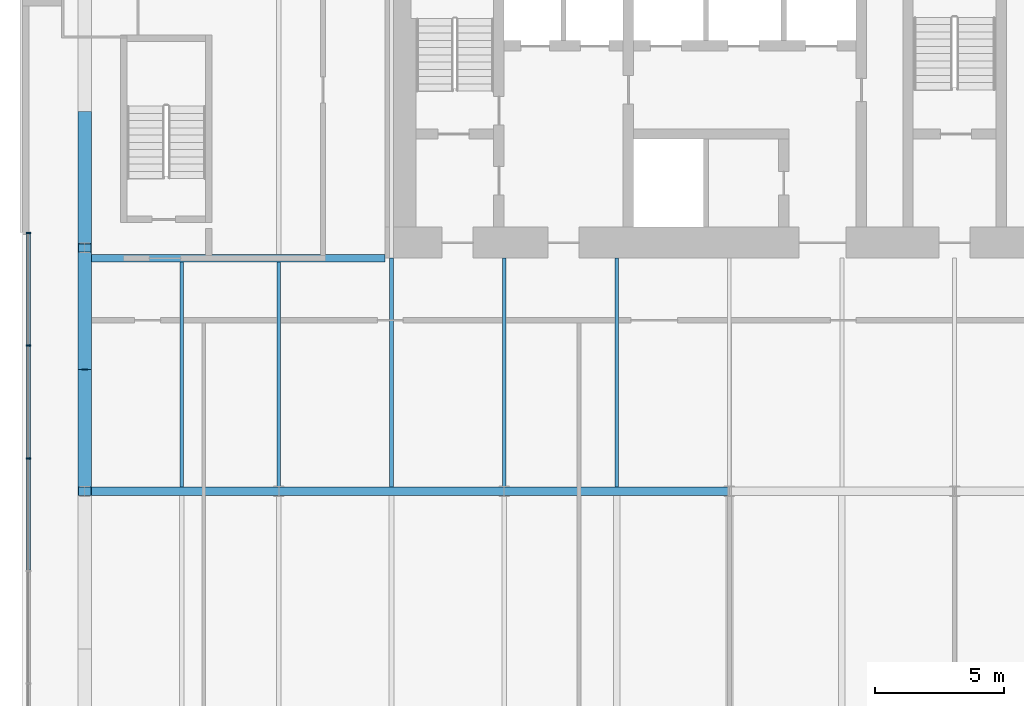
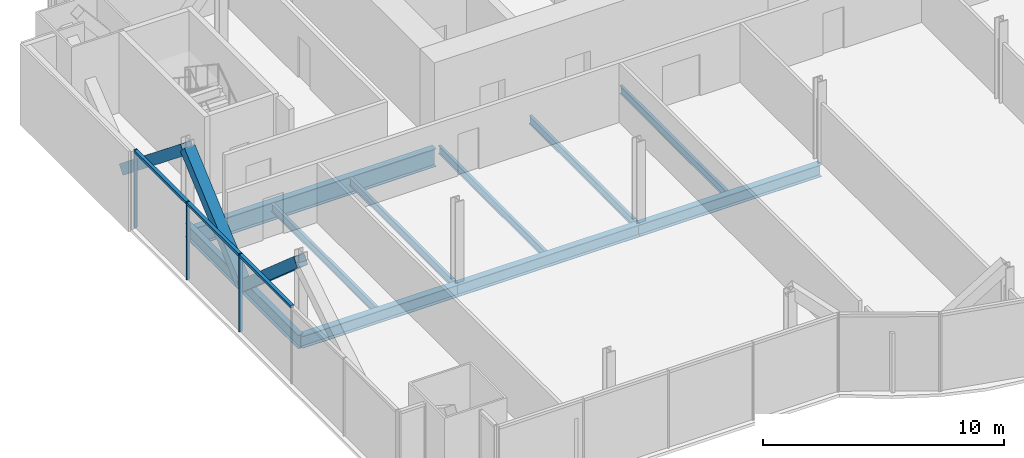
# One storey, part 6 of 21: 10 beams, 9 members, 1 element without a shape of its own.
"""IFC4 building model written with IfcOpenShell, lengths in metres."""

from ifc_helpers import new_model, si_unit, direction, frame, origin, origin_2d, place, context, subcontext, project, spatial, rectangle, hollow_rectangle, i_section, extrude, material, material_profile, profile_set, type_object, element, aggregate, save


model = new_model("IFC4")

# Units and contexts
model_context = context("Model", 3, precision=1e-05, world=origin(), true_north=direction((0.0, 1.0)))
body_context = subcontext(model_context, "Body", "Model", "MODEL_VIEW")
ifc_project = project(units=[si_unit("LENGTHUNIT", "METRE"), si_unit("AREAUNIT", "SQUARE_METRE"), si_unit("VOLUMEUNIT", "CUBIC_METRE"), si_unit("PLANEANGLEUNIT", "RADIAN"), si_unit("MASSUNIT", "GRAM", prefix="KILO")], contexts=[model_context])

# Site, building, storey
site_placement = place(None, origin())
site = spatial("IfcSite", under=ifc_project, at=site_placement, CompositionType="ELEMENT")
building_placement = place(site_placement, origin())
building = spatial("IfcBuilding", under=site, at=building_placement, Name="Bicima Exchange Tower", CompositionType="ELEMENT")
storey_placement = place(building_placement, frame((0.0, 0.0, 122.699951171875)))
storey = spatial("IfcBuildingStorey", under=building, at=storey_placement, Name="L26", CompositionType="ELEMENT", Elevation=122.699951171875)

# Beam
ifc_material_1 = material(Name="Steel ASTM A992 Gr 50", Category="steel")
ifc_material_profile_1 = material_profile(ifc_material_1, i_section(OverallWidth=0.3046875, OverallDepth=0.911865234375, WebThickness=0.015869140625, FlangeThickness=0.02392578125, at=origin_2d()))
ifc_profile_set_1 = profile_set([ifc_material_profile_1], Name="Steel ASTM A992 Gr 50")
beam_type_1 = type_object("IfcBeamType", Name="Core-line girder W36x150", PredefinedType="BEAM", material=ifc_profile_set_1)
beam_1_placement = place(storey_placement, frame((-22.0, -13.0, -0.60595703125), z_axis=(-1.0, 0.0, 0.0), x_axis=(0.0, -1.0, 0.0)))
element("IfcBeam", 1, at=beam_1_placement, inside=storey, type_object=beam_type_1, Name="Core-line girder", PredefinedType="BEAM", context=body_context, shape_type="SweptSolid", body=[
    extrude(i_section(OverallWidth=0.3046875, OverallDepth=0.911865234375, WebThickness=0.015869140625, FlangeThickness=0.02392578125, at=origin_2d()), origin(), (0.0, 0.0, 1.0), 11.60009765625),
])

# Curtain wall, members
ifc_material_2 = material(Name="Anodised bronze aluminium", Category="aluminium")
curtain_wall_type = type_object("IfcCurtainWallType", Name="End face glass wall", PredefinedType="NOTDEFINED", material=ifc_material_2)
curtain_wall_placement = place(storey_placement, origin())
curtain_wall = element("IfcCurtainWall", 2, at=curtain_wall_placement, inside=storey, type_object=curtain_wall_type, Name="End face glass wall L26 run 2", PredefinedType="NOTDEFINED")
ifc_material_profile_2 = material_profile(ifc_material_2, rectangle(XDim=0.159912109375, YDim=0.06005859375, at=origin_2d()))
ifc_profile_set_2 = profile_set([ifc_material_profile_2], Name="Anodised bronze aluminium")
member_type_1 = type_object("IfcMemberType", Name="End face glass wall mullion 60 x 160", PredefinedType="MULLION", material=ifc_profile_set_2)
member_1_placement = place(storey_placement, frame((-35.77001953125, -12.030029296875, 0.0), z_axis=(0.0, 0.0, 1.0), x_axis=(1.0, 0.0, 0.0)))
member_1 = element("IfcMember", 3, at=member_1_placement, type_object=member_type_1, Name="End face glass wall mullion 1", PredefinedType="MULLION", context=body_context, shape_type="SweptSolid", body=[
    extrude(rectangle(XDim=0.159912109375, YDim=0.06005859375, at=origin_2d()), origin(), (0.0, 0.0, 1.0), 3.949951171875),
])
member_2_placement = place(storey_placement, frame((-35.77001953125, -16.3798828125, 0.0), z_axis=(0.0, 0.0, 1.0), x_axis=(1.0, 0.0, 0.0)))
member_2 = element("IfcMember", 4, at=member_2_placement, type_object=member_type_1, Name="End face glass wall mullion 2", PredefinedType="MULLION", context=body_context, shape_type="SweptSolid", body=[
    extrude(rectangle(XDim=0.159912109375, YDim=0.06005859375, at=origin_2d()), origin(), (0.0, 0.0, 1.0), 3.949951171875),
])
member_3_placement = place(storey_placement, frame((-35.77001953125, -20.72998046875, 0.0), z_axis=(0.0, 0.0, 1.0), x_axis=(1.0, 0.0, 0.0)))
member_3 = element("IfcMember", 5, at=member_3_placement, type_object=member_type_1, Name="End face glass wall mullion 3", PredefinedType="MULLION", context=body_context, shape_type="SweptSolid", body=[
    extrude(rectangle(XDim=0.159912109375, YDim=0.06005859375, at=origin_2d()), origin(), (0.0, 0.0, 1.0), 3.949951171875),
])
ifc_material_profile_3 = material_profile(ifc_material_2, rectangle(XDim=0.159912109375, YDim=0.139892578125, at=origin_2d()))
ifc_profile_set_3 = profile_set([ifc_material_profile_3], Name="Anodised bronze aluminium")
member_type_2 = type_object("IfcMemberType", Name="End face glass wall transom 140 x 160", PredefinedType="USERDEFINED", material=ifc_profile_set_3)
member_4_placement = place(storey_placement, frame((-35.77001953125, -12.06005859375, 3.880126953125), z_axis=(0.0, -1.0, 0.0), x_axis=(1.0, 0.0, 0.0)))
member_4 = element("IfcMember", 6, at=member_4_placement, type_object=member_type_2, Name="End face glass wall transom 1.1", ObjectType="TRANSOM", PredefinedType="USERDEFINED", context=body_context, shape_type="SweptSolid", body=[
    extrude(rectangle(XDim=0.159912109375, YDim=0.139892578125, at=origin_2d()), origin(), (0.0, 0.0, 1.0), 4.2900390625),
])
member_5_placement = place(storey_placement, frame((-35.77001953125, -16.409912109375, 3.880126953125), z_axis=(0.0, -1.0, 0.0), x_axis=(1.0, 0.0, 0.0)))
member_5 = element("IfcMember", 7, at=member_5_placement, type_object=member_type_2, Name="End face glass wall transom 2.1", ObjectType="TRANSOM", PredefinedType="USERDEFINED", context=body_context, shape_type="SweptSolid", body=[
    extrude(rectangle(XDim=0.159912109375, YDim=0.139892578125, at=origin_2d()), origin(), (0.0, 0.0, 1.0), 4.2900390625),
])
member_6_placement = place(storey_placement, frame((-35.77001953125, -20.760009765625, 3.880126953125), z_axis=(0.0, -1.0, 0.0), x_axis=(1.0, 0.0, 0.0)))
member_6 = element("IfcMember", 8, at=member_6_placement, type_object=member_type_2, Name="End face glass wall transom 3.1", ObjectType="TRANSOM", PredefinedType="USERDEFINED", context=body_context, shape_type="SweptSolid", body=[
    extrude(rectangle(XDim=0.159912109375, YDim=0.139892578125, at=origin_2d()), origin(), (0.0, 0.0, 1.0), 4.2900390625),
])
aggregate(curtain_wall, [member_1, member_2, member_3, member_4, member_5, member_6])

# Beams
ifc_material_profile_4 = material_profile(ifc_material_1, i_section(OverallWidth=0.256591796875, OverallDepth=0.693359375, WebThickness=0.014404296875, FlangeThickness=0.023681640625, at=origin_2d()))
ifc_profile_set_4 = profile_set([ifc_material_profile_4], Name="Steel ASTM A992 Gr 50")
beam_type_2 = type_object("IfcBeamType", Name="End girder W27x114", PredefinedType="BEAM", material=ifc_profile_set_4)
beam_2_placement = place(storey_placement, frame((-33.60009765625, -12.60009765625, -0.49658203125), z_axis=(0.0, -1.0, 0.0), x_axis=(1.0, 0.0, 0.0)))
element("IfcBeam", 9, at=beam_2_placement, inside=storey, type_object=beam_type_2, Name="End girder", PredefinedType="BEAM", context=body_context, shape_type="SweptSolid", body=[
    extrude(i_section(OverallWidth=0.256591796875, OverallDepth=0.693359375, WebThickness=0.014404296875, FlangeThickness=0.023681640625, at=origin_2d()), origin(), (0.0, 0.0, 1.0), 9.39990234375),
])
ifc_material_profile_5 = material_profile(ifc_material_1, i_section(OverallWidth=0.140380859375, OverallDepth=0.40380859375, WebThickness=0.007080078125, FlangeThickness=0.01123046875, at=origin_2d()))
ifc_profile_set_5 = profile_set([ifc_material_profile_5], Name="Steel ASTM A992 Gr 50")
beam_type_3 = type_object("IfcBeamType", Name="Floor beam W16x31", PredefinedType="JOIST", material=ifc_profile_set_5)
for number, where, z_axis, x_axis, name in (
    (10, (-29.85009765625, -13.15234375, -0.351806640625), (0.0, -1.0, 0.0), (1.0, 0.0, 0.0), "Floor beam"),
    (11, (-26.10009765625, -13.15234375, -0.351806640625), (0.0, -1.0, 0.0), (1.0, 0.0, 0.0), "Floor beam"),
):
    element("IfcBeam", number, at=place(storey_placement, frame(where, z_axis=z_axis, x_axis=x_axis)), inside=storey, type_object=beam_type_3, Name=name, PredefinedType="JOIST", context=body_context, shape_type="SweptSolid", body=[
        extrude(i_section(OverallWidth=0.140380859375, OverallDepth=0.40380859375, WebThickness=0.007080078125, FlangeThickness=0.01123046875, at=origin_2d()), origin(), (0.0, 0.0, 1.0), 8.68505859375),
    ])
for number, where, z_axis, x_axis, name in (
    (12, (-21.75, -13.0, -0.351806640625), (0.0, -1.0, 0.0), (1.0, 0.0, 0.0), "Floor beam"),
    (13, (-17.39990234375, -13.0, -0.351806640625), (0.0, -1.0, 0.0), (1.0, 0.0, 0.0), "Floor beam"),
    (14, (-13.050048828125, -13.0, -0.351806640625), (0.0, -1.0, 0.0), (1.0, 0.0, 0.0), "Floor beam"),
):
    element("IfcBeam", number, at=place(storey_placement, frame(where, z_axis=z_axis, x_axis=x_axis)), inside=storey, type_object=beam_type_3, Name=name, PredefinedType="JOIST", context=body_context, shape_type="SweptSolid", body=[
        extrude(i_section(OverallWidth=0.140380859375, OverallDepth=0.40380859375, WebThickness=0.007080078125, FlangeThickness=0.01123046875, at=origin_2d()), origin(), (0.0, 0.0, 1.0), 8.83740234375),
    ])

# Members
ifc_material_3 = material(Name="Steel ASTM A572 Gr 50", Category="steel")
ifc_material_profile_6 = material_profile(ifc_material_3, hollow_rectangle(XDim=0.508056640625, YDim=0.508056640625, WallThickness=0.0146484375, at=origin_2d()))
ifc_profile_set_6 = profile_set([ifc_material_profile_6], Name="Steel ASTM A572 Gr 50")
member_type_3 = type_object("IfcMemberType", Name="Mega brace HSS20x20x5/8", PredefinedType="BRACE", material=ifc_profile_set_6)
member_7_placement = place(storey_placement, frame((-33.60009765625, -7.5, -0.49658203125), z_axis=(0.0, -0.779392460608, 0.626536026376), x_axis=(1.0, 0.0, 0.0)))
element("IfcMember", 15, at=member_7_placement, inside=storey, type_object=member_type_3, Name="Mega brace west end", PredefinedType="BRACE", context=body_context, shape_type="SweptSolid", body=[
    extrude(hollow_rectangle(XDim=0.508056640625, YDim=0.508056640625, WallThickness=0.0146484375, at=origin_2d()), origin(), (0.0, 0.0, 1.0), 6.543701171875),
])
for number, where, z_axis, x_axis, name in (
    (16, (-33.60009765625, -17.300048828125, -0.49658203125), (0.0, -0.753577308711, 0.657359292774), (1.0, 0.0, 0.0), "Mega brace west end"),
    (17, (-33.60009765625, -17.300048828125, -0.49658203125), (0.0, 0.753577308711, 0.657359292774), (-1.0, 0.0, 0.0), "Mega brace west end"),
):
    element("IfcMember", number, at=place(storey_placement, frame(where, z_axis=z_axis, x_axis=x_axis)), inside=storey, type_object=member_type_3, Name=name, PredefinedType="BRACE", context=body_context, shape_type="SweptSolid", body=[
        extrude(hollow_rectangle(XDim=0.508056640625, YDim=0.508056640625, WallThickness=0.0146484375, at=origin_2d()), origin(), (0.0, 0.0, 1.0), 6.23681640625),
    ])

# Beams
ifc_material_profile_7 = material_profile(ifc_material_1, i_section(OverallWidth=0.3251953125, OverallDepth=0.612060546875, WebThickness=0.0126953125, FlangeThickness=0.01904296875, at=origin_2d()))
ifc_profile_set_7 = profile_set([ifc_material_profile_7], Name="Steel ASTM A992 Gr 50")
beam_type_4 = type_object("IfcBeamType", Name="Row girder W24x104", PredefinedType="BEAM", material=ifc_profile_set_7)
beam_3_placement = place(storey_placement, frame((-33.60009765625, -22.0, -0.4560546875), z_axis=(1.0, 0.0, 0.0), x_axis=(0.0, 1.0, 0.0)))
element("IfcBeam", 18, at=beam_3_placement, inside=storey, type_object=beam_type_4, Name="Row girder", PredefinedType="BEAM", context=body_context, shape_type="SweptSolid", body=[
    extrude(i_section(OverallWidth=0.3251953125, OverallDepth=0.612060546875, WebThickness=0.0126953125, FlangeThickness=0.01904296875, at=origin_2d()), origin(), (0.0, 0.0, 1.0), 7.5),
])
beam_4_placement = place(storey_placement, frame((-26.10009765625, -22.0, -0.4560546875), z_axis=(1.0, 0.0, 0.0), x_axis=(0.0, 1.0, 0.0)))
element("IfcBeam", 19, at=beam_4_placement, inside=storey, type_object=beam_type_4, Name="Row girder", PredefinedType="BEAM", context=body_context, shape_type="SweptSolid", body=[
    extrude(i_section(OverallWidth=0.3251953125, OverallDepth=0.612060546875, WebThickness=0.0126953125, FlangeThickness=0.01904296875, at=origin_2d()), origin(), (0.0, 0.0, 1.0), 8.7001953125),
])
beam_5_placement = place(storey_placement, frame((-17.39990234375, -22.0, -0.4560546875), z_axis=(1.0, 0.0, 0.0), x_axis=(0.0, 1.0, 0.0)))
element("IfcBeam", 20, at=beam_5_placement, inside=storey, type_object=beam_type_4, Name="Row girder", PredefinedType="BEAM", context=body_context, shape_type="SweptSolid", body=[
    extrude(i_section(OverallWidth=0.3251953125, OverallDepth=0.612060546875, WebThickness=0.0126953125, FlangeThickness=0.01904296875, at=origin_2d()), origin(), (0.0, 0.0, 1.0), 8.699951171875),
])

save(model, "model.ifc")
